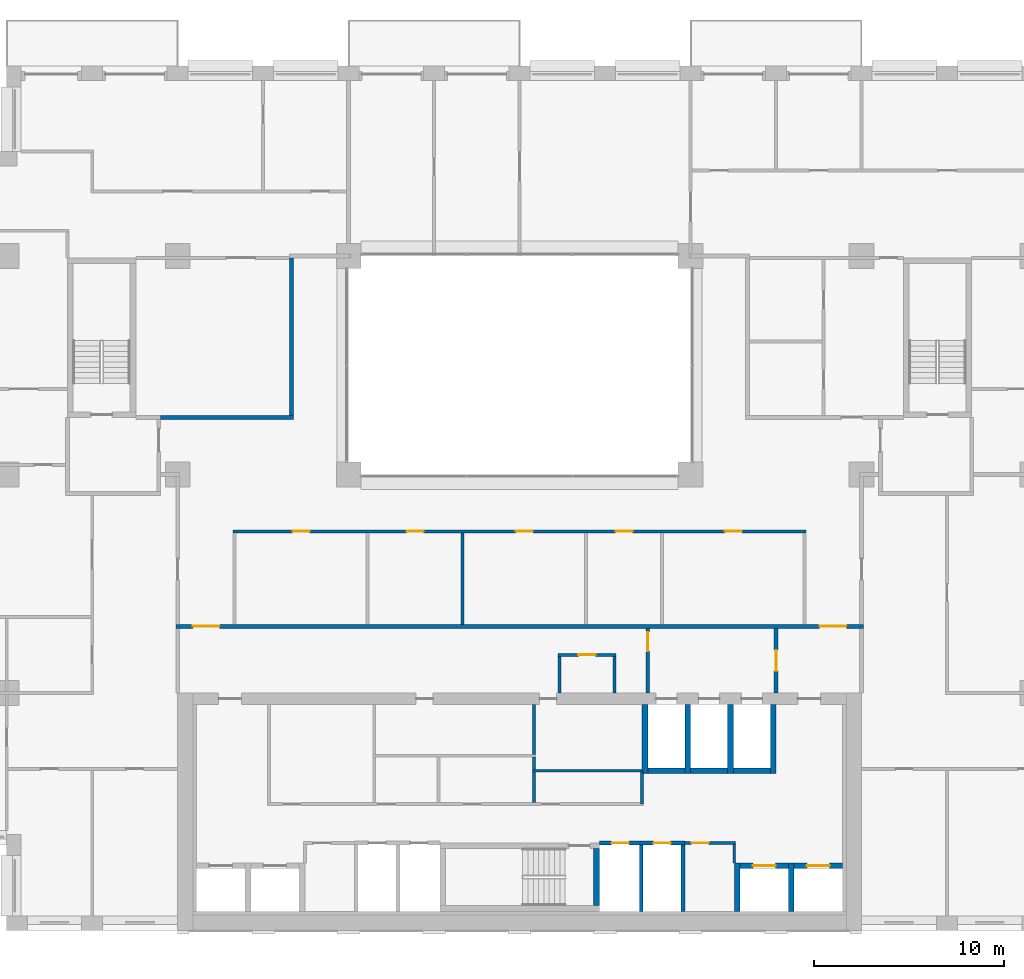
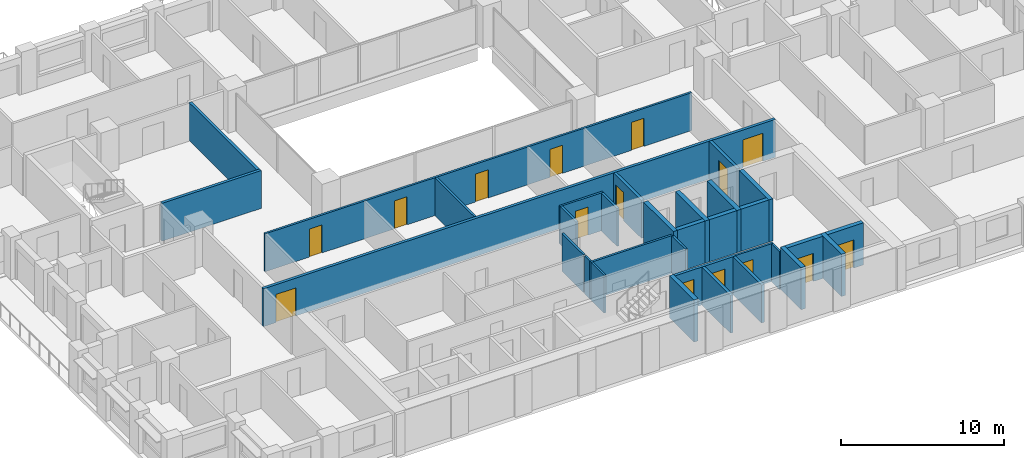
# One storey, part 10 of 16: 32 walls, 15 doors, 15 openings.
"""IFC4 building model written with IfcOpenShell, lengths in metres."""

from ifc_helpers import new_model, si_unit, direction, frame, frame_2d, origin, place, context, subcontext, project, spatial, rectangle, extrude, material, layer, layer_set, type_object, element, fill, save


model = new_model("IFC4")

# Units and contexts
model_context = context("Model", 3, precision=1e-05, world=origin(), true_north=direction((0.0, 1.0)))
body_context = subcontext(model_context, "Body", "Model", "MODEL_VIEW")
ifc_project = project(units=[si_unit("LENGTHUNIT", "METRE"), si_unit("AREAUNIT", "SQUARE_METRE"), si_unit("VOLUMEUNIT", "CUBIC_METRE"), si_unit("PLANEANGLEUNIT", "RADIAN"), si_unit("MASSUNIT", "GRAM", prefix="KILO")], contexts=[model_context])

# Site, building, storey
site_placement = place(None, origin())
site = spatial("IfcSite", under=ifc_project, at=site_placement, CompositionType="ELEMENT")
building_placement = place(site_placement, origin())
building = spatial("IfcBuilding", under=site, at=building_placement, Name="Brigalow Station Residences", CompositionType="ELEMENT")
storey_placement = place(building_placement, frame((0.0, 0.0, 118.199951171875)))
storey = spatial("IfcBuildingStorey", under=building, at=storey_placement, Name="L34", CompositionType="ELEMENT", Elevation=118.199951171875)

# Walls
ifc_material_1 = material(Name="Concrete C65", Category="concrete")
ifc_layer_1 = layer(ifc_material_1, 0.300048828125)
ifc_layer_set_1 = layer_set([ifc_layer_1], Name="CORE SHEAR WALL 300 C65")
wall_type_1 = type_object("IfcWallType", Name="CORE SHEAR WALL 300 C65", PredefinedType="SHEAR", material=ifc_layer_set_1)
wall_1_placement = place(storey_placement, frame((42.75, 8.39990234375, 0.0), z_axis=(0.0, 0.0, 1.0), x_axis=(1.0, 0.0, 0.0)))
element("IfcWall", 1, at=wall_1_placement, inside=storey, type_object=wall_type_1, Name="CORE WALL SH-FF1-S L34", PredefinedType="SHEAR", context=body_context, shape_type="SweptSolid", body=[
    extrude(rectangle(XDim=1.949951171875, YDim=0.300048828125, at=frame_2d((0.97509765625, 0.0))), origin(), (0.0, 0.0, 1.0), 3.150146484375),
])
wall_2_placement = place(storey_placement, frame((42.60009765625, 8.25, 0.0), z_axis=(0.0, 0.0, 1.0), x_axis=(0.0, 1.0, 0.0)))
element("IfcWall", 2, at=wall_2_placement, inside=storey, type_object=wall_type_1, Name="CORE WALL SH-FF1-W L34", PredefinedType="SHEAR", context=body_context, shape_type="SweptSolid", body=[
    extrude(rectangle(XDim=3.64990234375, YDim=0.300048828125, at=frame_2d((1.824951171875, 0.0))), origin(), (0.0, 0.0, 1.0), 3.150146484375),
])
wall_3_placement = place(storey_placement, frame((45.0, 8.39990234375, 0.0), z_axis=(0.0, 0.0, 1.0), x_axis=(1.0, 0.0, 0.0)))
element("IfcWall", 3, at=wall_3_placement, inside=storey, type_object=wall_type_1, Name="CORE WALL SH-FF2-S L34", PredefinedType="SHEAR", context=body_context, shape_type="SweptSolid", body=[
    extrude(rectangle(XDim=1.949951171875, YDim=0.300048828125, at=frame_2d((0.97509765625, 0.0))), origin(), (0.0, 0.0, 1.0), 3.150146484375),
])
wall_4_placement = place(storey_placement, frame((44.85009765625, 8.25, 0.0), z_axis=(0.0, 0.0, 1.0), x_axis=(0.0, 1.0, 0.0)))
element("IfcWall", 4, at=wall_4_placement, inside=storey, type_object=wall_type_1, Name="CORE WALL SH-FF2-W L34", PredefinedType="SHEAR", context=body_context, shape_type="SweptSolid", body=[
    extrude(rectangle(XDim=3.64990234375, YDim=0.300048828125, at=frame_2d((1.824951171875, 0.0))), origin(), (0.0, 0.0, 1.0), 3.150146484375),
])
wall_5_placement = place(storey_placement, frame((47.25, 8.39990234375, 0.0), z_axis=(0.0, 0.0, 1.0), x_axis=(1.0, 0.0, 0.0)))
element("IfcWall", 5, at=wall_5_placement, inside=storey, type_object=wall_type_1, Name="CORE WALL SH-SL1-S L34", PredefinedType="SHEAR", context=body_context, shape_type="SweptSolid", body=[
    extrude(rectangle(XDim=1.949951171875, YDim=0.300048828125, at=frame_2d((0.97509765625, 0.0))), origin(), (0.0, 0.0, 1.0), 3.150146484375),
])
for number, where, z_axis, x_axis, name in (
    (6, (47.10009765625, 8.25, 0.0), (0.0, 0.0, 1.0), (0.0, 1.0, 0.0), "CORE WALL SH-SL1-W L34"),
    (7, (49.35009765625, 8.25, 0.0), (0.0, 0.0, 1.0), (0.0, 1.0, 0.0), "CORE WALL SH-SL1-E L34"),
):
    element("IfcWall", number, at=place(storey_placement, frame(where, z_axis=z_axis, x_axis=x_axis)), inside=storey, type_object=wall_type_1, Name=name, PredefinedType="SHEAR", context=body_context, shape_type="SweptSolid", body=[
        extrude(rectangle(XDim=3.64990234375, YDim=0.300048828125, at=frame_2d((1.824951171875, 0.0))), origin(), (0.0, 0.0, 1.0), 3.150146484375),
    ])

# Wall, opening, door
wall_6_placement = place(storey_placement, frame((47.60009765625, 3.39990234375, 0.0), z_axis=(0.0, 0.0, 1.0), x_axis=(1.0, 0.0, 0.0)))
wall_6 = element("IfcWall", 8, at=wall_6_placement, inside=storey, type_object=wall_type_1, Name="CORE WALL SH-C3-N L34", PredefinedType="SHEAR", context=body_context, shape_type="SweptSolid", body=[
    extrude(rectangle(XDim=2.5498046875, YDim=0.300048828125, at=frame_2d((1.27490234375, 0.0))), origin(), (0.0, 0.0, 1.0), 3.150146484375),
])
opening_1_placement = place(wall_6_placement, frame((0.675048828125, 0.0, 0.0)))
opening_1 = element("IfcOpeningElement", 9, at=opening_1_placement, cuts=wall_6, Name="Opening LD-LB3", PredefinedType="OPENING", context=body_context, shape_type="SweptSolid", body=[
    extrude(rectangle(XDim=1.199951171875, YDim=2.10009765625, at=frame_2d((0.60009765625, 1.050048828125))), frame((0.0, 0.16015625, 0.0), z_axis=(0.0, -1.0, 0.0), x_axis=(1.0, 0.0, 0.0)), (0.0, 0.0, 1.0), 0.320068359375),
])
ifc_material_2 = material(Name="Stainless steel sliding door leaves", Category="steel")
door_type_1 = type_object("IfcDoorType", Name="LIFT LANDING DOOR 1200 x 2100", OperationType="DOUBLE_DOOR_SLIDING", PredefinedType="DOOR", material=ifc_material_2)
door_1_placement = place(opening_1_placement, origin())
door_1 = element("IfcDoor", 10, at=door_1_placement, inside=storey, type_object=door_type_1, Name="LANDING DOOR LB3", OperationType="DOUBLE_DOOR_SLIDING", OverallHeight=2.10009765625, OverallWidth=1.199951171875, PredefinedType="DOOR", context=body_context, shape_type="SweptSolid", body=[
    extrude(rectangle(XDim=1.199951171875, YDim=2.10009765625, at=frame_2d((0.60009765625, 1.050048828125))), frame((0.0, 0.02490234375, 0.0), z_axis=(0.0, -1.0, 0.0), x_axis=(1.0, 0.0, 0.0)), (0.0, 0.0, 1.0), 0.050048828125),
])
fill(opening_1, door_1)

# Wall
wall_7_placement = place(storey_placement, frame((47.449951171875, 1.0, 0.0), z_axis=(0.0, 0.0, 1.0), x_axis=(0.0, 1.0, 0.0)))
element("IfcWall", 11, at=wall_7_placement, inside=storey, type_object=wall_type_1, Name="CORE WALL SH-C3-W L34", PredefinedType="SHEAR", context=body_context, shape_type="SweptSolid", body=[
    extrude(rectangle(XDim=2.550048828125, YDim=0.300048828125, at=frame_2d((1.27490234375, 0.0))), origin(), (0.0, 0.0, 1.0), 3.150146484375),
])

# Wall, opening, door
wall_8_placement = place(storey_placement, frame((50.449951171875, 3.39990234375, 0.0), z_axis=(0.0, 0.0, 1.0), x_axis=(1.0, 0.0, 0.0)))
wall_8 = element("IfcWall", 12, at=wall_8_placement, inside=storey, type_object=wall_type_1, Name="CORE WALL SH-C4-N L34", PredefinedType="SHEAR", context=body_context, shape_type="SweptSolid", body=[
    extrude(rectangle(XDim=2.550048828125, YDim=0.300048828125, at=frame_2d((1.27490234375, 0.0))), origin(), (0.0, 0.0, 1.0), 3.150146484375),
])
opening_2_placement = place(wall_8_placement, frame((0.675048828125, 0.0, 0.0)))
opening_2 = element("IfcOpeningElement", 13, at=opening_2_placement, cuts=wall_8, Name="Opening LD-LB4", PredefinedType="OPENING", context=body_context, shape_type="SweptSolid", body=[
    extrude(rectangle(XDim=1.199951171875, YDim=2.10009765625, at=frame_2d((0.60009765625, 1.050048828125))), frame((0.0, 0.16015625, 0.0), z_axis=(0.0, -1.0, 0.0), x_axis=(1.0, 0.0, 0.0)), (0.0, 0.0, 1.0), 0.320068359375),
])
door_2_placement = place(opening_2_placement, origin())
door_2 = element("IfcDoor", 14, at=door_2_placement, inside=storey, type_object=door_type_1, Name="LANDING DOOR LB4", OperationType="DOUBLE_DOOR_SLIDING", OverallHeight=2.10009765625, OverallWidth=1.199951171875, PredefinedType="DOOR", context=body_context, shape_type="SweptSolid", body=[
    extrude(rectangle(XDim=1.199951171875, YDim=2.10009765625, at=frame_2d((0.60009765625, 1.050048828125))), frame((0.0, 0.02490234375, 0.0), z_axis=(0.0, -1.0, 0.0), x_axis=(1.0, 0.0, 0.0)), (0.0, 0.0, 1.0), 0.050048828125),
])
fill(opening_2, door_2)

# Walls
wall_9_placement = place(storey_placement, frame((50.300048828125, 1.0, 0.0), z_axis=(0.0, 0.0, 1.0), x_axis=(0.0, 1.0, 0.0)))
element("IfcWall", 15, at=wall_9_placement, inside=storey, type_object=wall_type_1, Name="CORE WALL SH-C4-W L34", PredefinedType="SHEAR", context=body_context, shape_type="SweptSolid", body=[
    extrude(rectangle(XDim=2.550048828125, YDim=0.300048828125, at=frame_2d((1.27490234375, 0.0))), origin(), (0.0, 0.0, 1.0), 3.150146484375),
])
wall_10_placement = place(storey_placement, frame((40.050048828125, 1.300048828125, 0.0), z_axis=(0.0, 0.0, 1.0), x_axis=(0.0, 1.0, 0.0)))
element("IfcWall", 16, at=wall_10_placement, inside=storey, type_object=wall_type_1, Name="CORE WALL ST-S2-E L34", PredefinedType="SHEAR", context=body_context, shape_type="SweptSolid", body=[
    extrude(rectangle(XDim=3.0, YDim=0.300048828125, at=frame_2d((1.5, 0.0))), origin(), (0.0, 0.0, 1.0), 3.150146484375),
])

# Wall, openings, doors
ifc_material_3 = material(Name="Concrete blockwork", Category="masonry")
ifc_layer_2 = layer(ifc_material_3, 0.199951171875)
ifc_layer_set_2 = layer_set([ifc_layer_2], Name="FIRE RATED CORE PARTITION 200")
wall_type_2 = type_object("IfcWallType", Name="FIRE RATED CORE PARTITION 200", PredefinedType="PARTITIONING", material=ifc_layer_set_2)
wall_11_placement = place(storey_placement, frame((40.199951171875, 4.60009765625, 0.0), z_axis=(0.0, 0.0, 1.0), x_axis=(1.0, 0.0, 0.0)))
wall_11 = element("IfcWall", 17, at=wall_11_placement, inside=storey, type_object=wall_type_2, Name="PW-5018", PredefinedType="PARTITIONING", context=body_context, shape_type="SweptSolid", body=[
    extrude(rectangle(XDim=4.5, YDim=0.199951171875, at=frame_2d((2.25, 0.0))), origin(), (0.0, 0.0, 1.0), 2.830078125),
])
opening_3_placement = place(wall_11_placement, frame((0.64990234375, 0.0, 0.0)))
opening_3 = element("IfcOpeningElement", 18, at=opening_3_placement, cuts=wall_11, Name="Opening D-5009", PredefinedType="OPENING", context=body_context, shape_type="SweptSolid", body=[
    extrude(rectangle(XDim=0.89990234375, YDim=2.10009765625, at=frame_2d((0.449951171875, 1.050048828125))), frame((0.0, 0.10986328125, 0.0), z_axis=(0.0, -1.0, 0.0), x_axis=(1.0, 0.0, 0.0)), (0.0, 0.0, 1.0), 0.219970703125),
])
opening_4_placement = place(wall_11_placement, frame((2.85009765625, 0.0, 0.0)))
opening_4 = element("IfcOpeningElement", 19, at=opening_4_placement, cuts=wall_11, Name="Opening D-5010", PredefinedType="OPENING", context=body_context, shape_type="SweptSolid", body=[
    extrude(rectangle(XDim=0.89990234375, YDim=2.10009765625, at=frame_2d((0.449951171875, 1.050048828125))), frame((0.0, 0.10986328125, 0.0), z_axis=(0.0, -1.0, 0.0), x_axis=(1.0, 0.0, 0.0)), (0.0, 0.0, 1.0), 0.219970703125),
])
ifc_material_4 = material(Name="Steel fire door leaf in steel frame", Category="steel")
door_type_2 = type_object("IfcDoorType", Name="RISER ACCESS DOOR 900 x 2100 FD120", OperationType="SINGLE_SWING_LEFT", PredefinedType="DOOR", material=ifc_material_4)
door_3_placement = place(opening_3_placement, frame((0.89990234375, 0.0, 0.0), z_axis=(0.0, 0.0, 1.0), x_axis=(-1.0, 0.0, 0.0)))
door_3 = element("IfcDoor", 20, at=door_3_placement, inside=storey, type_object=door_type_2, Name="D-5009", OperationType="SINGLE_SWING_LEFT", OverallHeight=2.10009765625, OverallWidth=0.89990234375, PredefinedType="DOOR", context=body_context, shape_type="SweptSolid", body=[
    extrude(rectangle(XDim=0.89990234375, YDim=2.10009765625, at=frame_2d((0.449951171875, 1.050048828125))), frame((0.0, 0.02490234375, 0.0), z_axis=(0.0, -1.0, 0.0), x_axis=(1.0, 0.0, 0.0)), (0.0, 0.0, 1.0), 0.050048828125),
])
fill(opening_3, door_3)
door_4_placement = place(opening_4_placement, frame((0.89990234375, 0.0, 0.0), z_axis=(0.0, 0.0, 1.0), x_axis=(-1.0, 0.0, 0.0)))
door_4 = element("IfcDoor", 21, at=door_4_placement, inside=storey, type_object=door_type_2, Name="D-5010", OperationType="SINGLE_SWING_LEFT", OverallHeight=2.10009765625, OverallWidth=0.89990234375, PredefinedType="DOOR", context=body_context, shape_type="SweptSolid", body=[
    extrude(rectangle(XDim=0.89990234375, YDim=2.10009765625, at=frame_2d((0.449951171875, 1.050048828125))), frame((0.0, 0.02490234375, 0.0), z_axis=(0.0, -1.0, 0.0), x_axis=(1.0, 0.0, 0.0)), (0.0, 0.0, 1.0), 0.050048828125),
])
fill(opening_4, door_4)

# Walls
for number, where, z_axis, x_axis, name in (
    (22, (42.39990234375, 1.0, 0.0), (0.0, 0.0, 1.0), (0.0, 1.0, 0.0), "PW-5007"),
    (23, (44.60009765625, 1.0, 0.0), (0.0, 0.0, 1.0), (0.0, 1.0, 0.0), "PW-5008"),
):
    element("IfcWall", number, at=place(storey_placement, frame(where, z_axis=z_axis, x_axis=x_axis)), inside=storey, type_object=wall_type_2, Name=name, PredefinedType="PARTITIONING", context=body_context, shape_type="SweptSolid", body=[
        extrude(rectangle(XDim=3.5, YDim=0.199951171875, at=frame_2d((1.75, 0.0))), origin(), (0.0, 0.0, 1.0), 2.830078125),
    ])

# Wall, opening, door
wall_12_placement = place(storey_placement, frame((42.75, 12.5, 0.0), z_axis=(0.0, 0.0, 1.0), x_axis=(0.0, 1.0, 0.0)))
wall_12 = element("IfcWall", 24, at=wall_12_placement, inside=storey, type_object=wall_type_2, Name="PW-5014", PredefinedType="PARTITIONING", context=body_context, shape_type="SweptSolid", body=[
    extrude(rectangle(XDim=3.39990234375, YDim=0.199951171875, at=frame_2d((1.699951171875, 0.0))), origin(), (0.0, 0.0, 1.0), 2.830078125),
])
opening_5_placement = place(wall_12_placement, frame((2.199951171875, 0.0, 0.0)))
opening_5 = element("IfcOpeningElement", 25, at=opening_5_placement, cuts=wall_12, Name="Opening D-5013", PredefinedType="OPENING", context=body_context, shape_type="SweptSolid", body=[
    extrude(rectangle(XDim=1.0, YDim=2.10009765625, at=frame_2d((0.5, 1.050048828125))), frame((0.0, 0.10986328125, 0.0), z_axis=(0.0, -1.0, 0.0), x_axis=(1.0, 0.0, 0.0)), (0.0, 0.0, 1.0), 0.219970703125),
])
ifc_material_5 = material(Name="Steel fire door leaf in steel frame", Category="steel")
door_type_3 = type_object("IfcDoorType", Name="LOBBY DOOR 1000 x 2100 FD60S", OperationType="SINGLE_SWING_LEFT", PredefinedType="DOOR", material=ifc_material_5)
door_5_placement = place(opening_5_placement, origin())
door_5 = element("IfcDoor", 26, at=door_5_placement, inside=storey, type_object=door_type_3, Name="D-5013", OperationType="SINGLE_SWING_RIGHT", OverallHeight=2.10009765625, OverallWidth=1.0, PredefinedType="DOOR", context=body_context, shape_type="SweptSolid", body=[
    extrude(rectangle(XDim=1.0, YDim=2.10009765625, at=frame_2d((0.5, 1.050048828125))), frame((0.0, 0.02490234375, 0.0), z_axis=(0.0, -1.0, 0.0), x_axis=(1.0, 0.0, 0.0)), (0.0, 0.0, 1.0), 0.050048828125),
])
fill(opening_5, door_5)

wall_13_placement = place(storey_placement, frame((49.5, 12.5, 0.0), z_axis=(0.0, 0.0, 1.0), x_axis=(0.0, 1.0, 0.0)))
wall_13 = element("IfcWall", 27, at=wall_13_placement, inside=storey, type_object=wall_type_2, Name="PW-5015", PredefinedType="PARTITIONING", context=body_context, shape_type="SweptSolid", body=[
    extrude(rectangle(XDim=3.39990234375, YDim=0.199951171875, at=frame_2d((1.699951171875, 0.0))), origin(), (0.0, 0.0, 1.0), 2.830078125),
])
opening_6_placement = place(wall_13_placement, frame((1.14990234375, 0.0, 0.0)))
opening_6 = element("IfcOpeningElement", 28, at=opening_6_placement, cuts=wall_13, Name="Opening D-5014", PredefinedType="OPENING", context=body_context, shape_type="SweptSolid", body=[
    extrude(rectangle(XDim=1.10009765625, YDim=2.10009765625, at=frame_2d((0.550048828125, 1.050048828125))), frame((0.0, 0.10986328125, 0.0), z_axis=(0.0, -1.0, 0.0), x_axis=(1.0, 0.0, 0.0)), (0.0, 0.0, 1.0), 0.219970703125),
])
ifc_material_6 = material(Name="Steel fire door leaf in steel frame", Category="steel")
door_type_4 = type_object("IfcDoorType", Name="LOBBY DOOR 1100 x 2100 FD60S", OperationType="SINGLE_SWING_LEFT", PredefinedType="DOOR", material=ifc_material_6)
door_6_placement = place(opening_6_placement, origin())
door_6 = element("IfcDoor", 29, at=door_6_placement, inside=storey, type_object=door_type_4, Name="D-5014", OperationType="SINGLE_SWING_LEFT", OverallHeight=2.10009765625, OverallWidth=1.10009765625, PredefinedType="DOOR", context=body_context, shape_type="SweptSolid", body=[
    extrude(rectangle(XDim=1.10009765625, YDim=2.10009765625, at=frame_2d((0.550048828125, 1.050048828125))), frame((0.0, 0.02490234375, 0.0), z_axis=(0.0, -1.0, 0.0), x_axis=(1.0, 0.0, 0.0)), (0.0, 0.0, 1.0), 0.050048828125),
])
fill(opening_6, door_6)

# Wall, openings, doors
ifc_material_7 = material(Name="Plasterboard on steel stud partition", Category="steel")
ifc_layer_3 = layer(ifc_material_7, 0.14990234375)
ifc_layer_set_3 = layer_set([ifc_layer_3], Name="FLAT PARTITION 150")
wall_type_3 = type_object("IfcWallType", Name="FLAT PARTITION 150", PredefinedType="PARTITIONING", material=ifc_layer_set_3)
wall_14_placement = place(storey_placement, frame((20.925048828125, 21.0, 0.0), z_axis=(0.0, 0.0, 1.0), x_axis=(1.0, 0.0, 0.0)))
wall_14 = element("IfcWall", 30, at=wall_14_placement, inside=storey, type_object=wall_type_3, Name="PW-2E01", PredefinedType="PARTITIONING", context=body_context, shape_type="SweptSolid", body=[
    extrude(rectangle(XDim=30.14990234375, YDim=0.14990234375, at=frame_2d((15.074951171875, 0.0))), origin(), (0.0, 0.0, 1.0), 2.830078125),
])
opening_7_placement = place(wall_14_placement, frame((3.125, 0.0, 0.0)))
opening_7 = element("IfcOpeningElement", 31, at=opening_7_placement, cuts=wall_14, Name="Opening D-2E45", PredefinedType="OPENING", context=body_context, shape_type="SweptSolid", body=[
    extrude(rectangle(XDim=0.89990234375, YDim=2.10009765625, at=frame_2d((0.449951171875, 1.050048828125))), frame((0.0, 0.0849609375, 0.0), z_axis=(0.0, -1.0, 0.0), x_axis=(1.0, 0.0, 0.0)), (0.0, 0.0, 1.0), 0.169921875),
])
opening_8_placement = place(wall_14_placement, frame((9.125, 0.0, 0.0)))
opening_8 = element("IfcOpeningElement", 32, at=opening_8_placement, cuts=wall_14, Name="Opening D-2E46", PredefinedType="OPENING", context=body_context, shape_type="SweptSolid", body=[
    extrude(rectangle(XDim=0.89990234375, YDim=2.10009765625, at=frame_2d((0.449951171875, 1.050048828125))), frame((0.0, 0.0849609375, 0.0), z_axis=(0.0, -1.0, 0.0), x_axis=(1.0, 0.0, 0.0)), (0.0, 0.0, 1.0), 0.169921875),
])
opening_9_placement = place(wall_14_placement, frame((14.875, 0.0, 0.0)))
opening_9 = element("IfcOpeningElement", 33, at=opening_9_placement, cuts=wall_14, Name="Opening D-2E47", PredefinedType="OPENING", context=body_context, shape_type="SweptSolid", body=[
    extrude(rectangle(XDim=0.89990234375, YDim=2.10009765625, at=frame_2d((0.449951171875, 1.050048828125))), frame((0.0, 0.0849609375, 0.0), z_axis=(0.0, -1.0, 0.0), x_axis=(1.0, 0.0, 0.0)), (0.0, 0.0, 1.0), 0.169921875),
])
opening_10_placement = place(wall_14_placement, frame((20.125, 0.0, 0.0)))
opening_10 = element("IfcOpeningElement", 34, at=opening_10_placement, cuts=wall_14, Name="Opening D-2E48", PredefinedType="OPENING", context=body_context, shape_type="SweptSolid", body=[
    extrude(rectangle(XDim=0.89990234375, YDim=2.10009765625, at=frame_2d((0.449951171875, 1.050048828125))), frame((0.0, 0.0849609375, 0.0), z_axis=(0.0, -1.0, 0.0), x_axis=(1.0, 0.0, 0.0)), (0.0, 0.0, 1.0), 0.169921875),
])
opening_11_placement = place(wall_14_placement, frame((25.875, 0.0, 0.0)))
opening_11 = element("IfcOpeningElement", 35, at=opening_11_placement, cuts=wall_14, Name="Opening D-2E49", PredefinedType="OPENING", context=body_context, shape_type="SweptSolid", body=[
    extrude(rectangle(XDim=0.89990234375, YDim=2.10009765625, at=frame_2d((0.449951171875, 1.050048828125))), frame((0.0, 0.0849609375, 0.0), z_axis=(0.0, -1.0, 0.0), x_axis=(1.0, 0.0, 0.0)), (0.0, 0.0, 1.0), 0.169921875),
])
ifc_material_8 = material(Name="Solid-core timber door leaf", Category="wood")
door_type_5 = type_object("IfcDoorType", Name="INTERNAL DOOR 900 x 2100", OperationType="SINGLE_SWING_LEFT", PredefinedType="DOOR", material=ifc_material_8)
door_7_placement = place(opening_7_placement, frame((0.89990234375, 0.0, 0.0), z_axis=(0.0, 0.0, 1.0), x_axis=(-1.0, 0.0, 0.0)))
door_7 = element("IfcDoor", 36, at=door_7_placement, inside=storey, type_object=door_type_5, Name="D-2E45", OperationType="SINGLE_SWING_RIGHT", OverallHeight=2.10009765625, OverallWidth=0.89990234375, PredefinedType="DOOR", context=body_context, shape_type="SweptSolid", body=[
    extrude(rectangle(XDim=0.89990234375, YDim=2.10009765625, at=frame_2d((0.449951171875, 1.050048828125))), frame((0.0, 0.02490234375, 0.0), z_axis=(0.0, -1.0, 0.0), x_axis=(1.0, 0.0, 0.0)), (0.0, 0.0, 1.0), 0.050048828125),
])
fill(opening_7, door_7)
door_8_placement = place(opening_8_placement, frame((0.89990234375, 0.0, 0.0), z_axis=(0.0, 0.0, 1.0), x_axis=(-1.0, 0.0, 0.0)))
door_8 = element("IfcDoor", 37, at=door_8_placement, inside=storey, type_object=door_type_5, Name="D-2E46", OperationType="SINGLE_SWING_RIGHT", OverallHeight=2.10009765625, OverallWidth=0.89990234375, PredefinedType="DOOR", context=body_context, shape_type="SweptSolid", body=[
    extrude(rectangle(XDim=0.89990234375, YDim=2.10009765625, at=frame_2d((0.449951171875, 1.050048828125))), frame((0.0, 0.02490234375, 0.0), z_axis=(0.0, -1.0, 0.0), x_axis=(1.0, 0.0, 0.0)), (0.0, 0.0, 1.0), 0.050048828125),
])
fill(opening_8, door_8)
door_9_placement = place(opening_9_placement, frame((0.89990234375, 0.0, 0.0), z_axis=(0.0, 0.0, 1.0), x_axis=(-1.0, 0.0, 0.0)))
door_9 = element("IfcDoor", 38, at=door_9_placement, inside=storey, type_object=door_type_5, Name="D-2E47", OperationType="SINGLE_SWING_RIGHT", OverallHeight=2.10009765625, OverallWidth=0.89990234375, PredefinedType="DOOR", context=body_context, shape_type="SweptSolid", body=[
    extrude(rectangle(XDim=0.89990234375, YDim=2.10009765625, at=frame_2d((0.449951171875, 1.050048828125))), frame((0.0, 0.02490234375, 0.0), z_axis=(0.0, -1.0, 0.0), x_axis=(1.0, 0.0, 0.0)), (0.0, 0.0, 1.0), 0.050048828125),
])
fill(opening_9, door_9)
door_10_placement = place(opening_10_placement, frame((0.89990234375, 0.0, 0.0), z_axis=(0.0, 0.0, 1.0), x_axis=(-1.0, 0.0, 0.0)))
door_10 = element("IfcDoor", 39, at=door_10_placement, inside=storey, type_object=door_type_5, Name="D-2E48", OperationType="SINGLE_SWING_LEFT", OverallHeight=2.10009765625, OverallWidth=0.89990234375, PredefinedType="DOOR", context=body_context, shape_type="SweptSolid", body=[
    extrude(rectangle(XDim=0.89990234375, YDim=2.10009765625, at=frame_2d((0.449951171875, 1.050048828125))), frame((0.0, 0.02490234375, 0.0), z_axis=(0.0, -1.0, 0.0), x_axis=(1.0, 0.0, 0.0)), (0.0, 0.0, 1.0), 0.050048828125),
])
fill(opening_10, door_10)
door_11_placement = place(opening_11_placement, frame((0.89990234375, 0.0, 0.0), z_axis=(0.0, 0.0, 1.0), x_axis=(-1.0, 0.0, 0.0)))
door_11 = element("IfcDoor", 40, at=door_11_placement, inside=storey, type_object=door_type_5, Name="D-2E49", OperationType="SINGLE_SWING_LEFT", OverallHeight=2.10009765625, OverallWidth=0.89990234375, PredefinedType="DOOR", context=body_context, shape_type="SweptSolid", body=[
    extrude(rectangle(XDim=0.89990234375, YDim=2.10009765625, at=frame_2d((0.449951171875, 1.050048828125))), frame((0.0, 0.02490234375, 0.0), z_axis=(0.0, -1.0, 0.0), x_axis=(1.0, 0.0, 0.0)), (0.0, 0.0, 1.0), 0.050048828125),
])
fill(opening_11, door_11)

# Walls
wall_15_placement = place(storey_placement, frame((33.0, 16.10009765625, 0.0), z_axis=(0.0, 0.0, 1.0), x_axis=(0.0, 1.0, 0.0)))
element("IfcWall", 41, at=wall_15_placement, inside=storey, type_object=wall_type_3, Name="PW-2E67", PredefinedType="PARTITIONING", context=body_context, shape_type="SweptSolid", body=[
    extrude(rectangle(XDim=4.824951171875, YDim=0.14990234375, at=frame_2d((2.41259765625, 0.0))), origin(), (0.0, 0.0, 1.0), 2.830078125),
])
ifc_material_9 = material(Name="Plasterboard on steel stud partition", Category="steel")
ifc_layer_4 = layer(ifc_material_9, 0.199951171875)
ifc_layer_set_4 = layer_set([ifc_layer_4], Name="PARTY AND CORRIDOR WALL 200")
wall_type_4 = type_object("IfcWallType", Name="PARTY AND CORRIDOR WALL 200", PredefinedType="PARTITIONING", material=ifc_layer_set_4)
wall_16_placement = place(storey_placement, frame((17.10009765625, 27.0, 0.0), z_axis=(0.0, 0.0, 1.0), x_axis=(1.0, 0.0, 0.0)))
element("IfcWall", 42, at=wall_16_placement, inside=storey, type_object=wall_type_4, Name="PW-2E05", PredefinedType="PARTITIONING", context=body_context, shape_type="SweptSolid", body=[
    extrude(rectangle(XDim=7.0, YDim=0.199951171875, at=frame_2d((3.5, 0.0))), origin(), (0.0, 0.0, 1.0), 2.830078125),
])

# Wall, openings, doors
wall_17_placement = place(storey_placement, frame((17.89990234375, 16.0, 0.0), z_axis=(0.0, 0.0, 1.0), x_axis=(1.0, 0.0, 0.0)))
wall_17 = element("IfcWall", 43, at=wall_17_placement, inside=storey, type_object=wall_type_4, Name="PW-2E34", PredefinedType="PARTITIONING", context=body_context, shape_type="SweptSolid", body=[
    extrude(rectangle(XDim=36.2001953125, YDim=0.199951171875, at=frame_2d((18.10009765625, 0.0))), origin(), (0.0, 0.0, 1.0), 2.830078125),
])
opening_12_placement = place(wall_17_placement, frame((0.89990234375, 0.0, 0.0)))
opening_12 = element("IfcOpeningElement", 44, at=opening_12_placement, cuts=wall_17, Name="Opening D-2E01", PredefinedType="OPENING", context=body_context, shape_type="SweptSolid", body=[
    extrude(rectangle(XDim=1.39990234375, YDim=2.10009765625, at=frame_2d((0.699951171875, 1.050048828125))), frame((0.0, 0.10986328125, 0.0), z_axis=(0.0, -1.0, 0.0), x_axis=(1.0, 0.0, 0.0)), (0.0, 0.0, 1.0), 0.219970703125),
])
opening_13_placement = place(wall_17_placement, frame((33.89990234375, 0.0, 0.0)))
opening_13 = element("IfcOpeningElement", 45, at=opening_13_placement, cuts=wall_17, Name="Opening D-2E02", PredefinedType="OPENING", context=body_context, shape_type="SweptSolid", body=[
    extrude(rectangle(XDim=1.39990234375, YDim=2.10009765625, at=frame_2d((0.699951171875, 1.050048828125))), frame((0.0, 0.10986328125, 0.0), z_axis=(0.0, -1.0, 0.0), x_axis=(1.0, 0.0, 0.0)), (0.0, 0.0, 1.0), 0.219970703125),
])
ifc_material_10 = material(Name="Solid-core timber door leaf", Category="wood")
door_type_6 = type_object("IfcDoorType", Name="CORRIDOR FIRE DOOR 1400 x 2100 FRL -/60/30", OperationType="DOUBLE_DOOR_SINGLE_SWING", PredefinedType="DOOR", material=ifc_material_10)
door_12_placement = place(opening_12_placement, frame((1.39990234375, 0.0, 0.0), z_axis=(0.0, 0.0, 1.0), x_axis=(-1.0, 0.0, 0.0)))
door_12 = element("IfcDoor", 46, at=door_12_placement, inside=storey, type_object=door_type_6, Name="D-2E01", OperationType="DOUBLE_DOOR_SINGLE_SWING", OverallHeight=2.10009765625, OverallWidth=1.39990234375, PredefinedType="DOOR", context=body_context, shape_type="SweptSolid", body=[
    extrude(rectangle(XDim=1.39990234375, YDim=2.10009765625, at=frame_2d((0.699951171875, 1.050048828125))), frame((0.0, 0.02490234375, 0.0), z_axis=(0.0, -1.0, 0.0), x_axis=(1.0, 0.0, 0.0)), (0.0, 0.0, 1.0), 0.050048828125),
])
fill(opening_12, door_12)
door_13_placement = place(opening_13_placement, frame((1.39990234375, 0.0, 0.0), z_axis=(0.0, 0.0, 1.0), x_axis=(-1.0, 0.0, 0.0)))
door_13 = element("IfcDoor", 47, at=door_13_placement, inside=storey, type_object=door_type_6, Name="D-2E02", OperationType="DOUBLE_DOOR_SINGLE_SWING", OverallHeight=2.10009765625, OverallWidth=1.39990234375, PredefinedType="DOOR", context=body_context, shape_type="SweptSolid", body=[
    extrude(rectangle(XDim=1.39990234375, YDim=2.10009765625, at=frame_2d((0.699951171875, 1.050048828125))), frame((0.0, 0.02490234375, 0.0), z_axis=(0.0, -1.0, 0.0), x_axis=(1.0, 0.0, 0.0)), (0.0, 0.0, 1.0), 0.050048828125),
])
fill(opening_13, door_13)

# Wall
wall_18_placement = place(storey_placement, frame((24.0, 27.10009765625, 0.0), z_axis=(0.0, 0.0, 1.0), x_axis=(0.0, 1.0, 0.0)))
element("IfcWall", 48, at=wall_18_placement, inside=storey, type_object=wall_type_4, Name="PW-2E40", PredefinedType="PARTITIONING", context=body_context, shape_type="SweptSolid", body=[
    extrude(rectangle(XDim=8.2998046875, YDim=0.199951171875, at=frame_2d((4.14990234375, 0.0))), origin(), (0.0, 0.0, 1.0), 2.830078125),
])

# Wall, opening, door
ifc_material_11 = material(Name="Plasterboard on steel studs", Category="steel")
ifc_layer_5 = layer(ifc_material_11, 0.14990234375)
ifc_layer_set_5 = layer_set([ifc_layer_5], Name="SERVICE ROOM PARTITION 150")
wall_type_5 = type_object("IfcWallType", Name="SERVICE ROOM PARTITION 150", PredefinedType="PARTITIONING", material=ifc_layer_set_5)
wall_19_placement = place(storey_placement, frame((44.699951171875, 4.60009765625, 0.0), z_axis=(0.0, 0.0, 1.0), x_axis=(1.0, 0.0, 0.0)))
wall_19 = element("IfcWall", 49, at=wall_19_placement, inside=storey, type_object=wall_type_5, Name="PW-5156", PredefinedType="PARTITIONING", context=body_context, shape_type="SweptSolid", body=[
    extrude(rectangle(XDim=2.675048828125, YDim=0.14990234375, at=frame_2d((1.33740234375, 0.0))), origin(), (0.0, 0.0, 1.0), 2.830078125),
])
opening_14_placement = place(wall_19_placement, frame((0.35009765625, 0.0, 0.0)))
opening_14 = element("IfcOpeningElement", 50, at=opening_14_placement, cuts=wall_19, Name="Opening D-5026", PredefinedType="OPENING", context=body_context, shape_type="SweptSolid", body=[
    extrude(rectangle(XDim=0.89990234375, YDim=2.10009765625, at=frame_2d((0.449951171875, 1.050048828125))), frame((0.0, 0.0849609375, 0.0), z_axis=(0.0, -1.0, 0.0), x_axis=(1.0, 0.0, 0.0)), (0.0, 0.0, 1.0), 0.169921875),
])
ifc_material_12 = material(Name="Steel door leaf in steel frame", Category="steel")
door_type_7 = type_object("IfcDoorType", Name="SERVICE ROOM DOOR 900 x 2100 FD60", OperationType="SINGLE_SWING_LEFT", PredefinedType="DOOR", material=ifc_material_12)
door_14_placement = place(opening_14_placement, frame((0.89990234375, 0.0, 0.0), z_axis=(0.0, 0.0, 1.0), x_axis=(-1.0, 0.0, 0.0)))
door_14 = element("IfcDoor", 51, at=door_14_placement, inside=storey, type_object=door_type_7, Name="D-5026", OperationType="SINGLE_SWING_RIGHT", OverallHeight=2.10009765625, OverallWidth=0.89990234375, PredefinedType="DOOR", context=body_context, shape_type="SweptSolid", body=[
    extrude(rectangle(XDim=0.89990234375, YDim=2.10009765625, at=frame_2d((0.449951171875, 1.050048828125))), frame((0.0, 0.02490234375, 0.0), z_axis=(0.0, -1.0, 0.0), x_axis=(1.0, 0.0, 0.0)), (0.0, 0.0, 1.0), 0.050048828125),
])
fill(opening_14, door_14)

# Wall
wall_20_placement = place(storey_placement, frame((36.675048828125, 8.39990234375, 0.0), z_axis=(0.0, 0.0, 1.0), x_axis=(1.0, 0.0, 0.0)))
element("IfcWall", 52, at=wall_20_placement, inside=storey, type_object=wall_type_5, Name="PW-5204", PredefinedType="PARTITIONING", context=body_context, shape_type="SweptSolid", body=[
    extrude(rectangle(XDim=5.77490234375, YDim=0.14990234375, at=frame_2d((2.887451171875, 0.0))), origin(), (0.0, 0.0, 1.0), 2.830078125),
])

# Wall, opening, door
wall_21_placement = place(storey_placement, frame((38.02490234375, 14.5, 0.0), z_axis=(0.0, 0.0, 1.0), x_axis=(1.0, 0.0, 0.0)))
wall_21 = element("IfcWall", 53, at=wall_21_placement, inside=storey, type_object=wall_type_5, Name="PW-5138", PredefinedType="PARTITIONING", context=body_context, shape_type="SweptSolid", body=[
    extrude(rectangle(XDim=3.050048828125, YDim=0.14990234375, at=frame_2d((1.52490234375, 0.0))), origin(), (0.0, 0.0, 1.0), 2.830078125),
])
opening_15_placement = place(wall_21_placement, frame((1.074951171875, 0.0, 0.0)))
opening_15 = element("IfcOpeningElement", 54, at=opening_15_placement, cuts=wall_21, Name="Opening D-5079", PredefinedType="OPENING", context=body_context, shape_type="SweptSolid", body=[
    extrude(rectangle(XDim=0.89990234375, YDim=2.10009765625, at=frame_2d((0.449951171875, 1.050048828125))), frame((0.0, 0.0849609375, 0.0), z_axis=(0.0, -1.0, 0.0), x_axis=(1.0, 0.0, 0.0)), (0.0, 0.0, 1.0), 0.169921875),
])
door_15_placement = place(opening_15_placement, frame((0.89990234375, 0.0, 0.0), z_axis=(0.0, 0.0, 1.0), x_axis=(-1.0, 0.0, 0.0)))
door_15 = element("IfcDoor", 55, at=door_15_placement, inside=storey, type_object=door_type_7, Name="D-5079", OperationType="SINGLE_SWING_RIGHT", OverallHeight=2.10009765625, OverallWidth=0.89990234375, PredefinedType="DOOR", context=body_context, shape_type="SweptSolid", body=[
    extrude(rectangle(XDim=0.89990234375, YDim=2.10009765625, at=frame_2d((0.449951171875, 1.050048828125))), frame((0.0, 0.02490234375, 0.0), z_axis=(0.0, -1.0, 0.0), x_axis=(1.0, 0.0, 0.0)), (0.0, 0.0, 1.0), 0.050048828125),
])
fill(opening_15, door_15)

# Walls
wall_22_placement = place(storey_placement, frame((47.300048828125, 3.550048828125, 0.0), z_axis=(0.0, 0.0, 1.0), x_axis=(0.0, 1.0, 0.0)))
element("IfcWall", 56, at=wall_22_placement, inside=storey, type_object=wall_type_5, Name="PW-5158", PredefinedType="PARTITIONING", context=body_context, shape_type="SweptSolid", body=[
    extrude(rectangle(XDim=0.974853515625, YDim=0.14990234375, at=frame_2d((0.4873046875, 0.0))), origin(), (0.0, 0.0, 1.0), 2.830078125),
])
wall_23_placement = place(storey_placement, frame((42.449951171875, 6.64990234375, 0.0), z_axis=(0.0, 0.0, 1.0), x_axis=(0.0, 1.0, 0.0)))
element("IfcWall", 57, at=wall_23_placement, inside=storey, type_object=wall_type_5, Name="PW-5206", PredefinedType="PARTITIONING", context=body_context, shape_type="SweptSolid", body=[
    extrude(rectangle(XDim=1.675048828125, YDim=0.14990234375, at=frame_2d((0.83740234375, 0.0))), origin(), (0.0, 0.0, 1.0), 2.830078125),
])
wall_24_placement = place(storey_placement, frame((36.75, 6.72509765625, 0.0), z_axis=(0.0, 0.0, 1.0), x_axis=(0.0, 1.0, 0.0)))
element("IfcWall", 58, at=wall_24_placement, inside=storey, type_object=wall_type_5, Name="PW-5210", PredefinedType="PARTITIONING", context=body_context, shape_type="SweptSolid", body=[
    extrude(rectangle(XDim=1.599853515625, YDim=0.14990234375, at=frame_2d((0.7998046875, 0.0))), origin(), (0.0, 0.0, 1.0), 2.830078125),
])
wall_25_placement = place(storey_placement, frame((36.75, 8.47509765625, 0.0), z_axis=(0.0, 0.0, 1.0), x_axis=(0.0, 1.0, 0.0)))
element("IfcWall", 59, at=wall_25_placement, inside=storey, type_object=wall_type_5, Name="PW-5233", PredefinedType="PARTITIONING", context=body_context, shape_type="SweptSolid", body=[
    extrude(rectangle(XDim=0.639892578125, YDim=0.14990234375, at=frame_2d((0.31982421875, 0.0))), origin(), (0.0, 0.0, 1.0), 2.830078125),
])
wall_26_placement = place(storey_placement, frame((36.75, 9.264892578125, 0.0), z_axis=(0.0, 0.0, 1.0), x_axis=(0.0, 1.0, 0.0)))
element("IfcWall", 60, at=wall_26_placement, inside=storey, type_object=wall_type_5, Name="PW-5235", PredefinedType="PARTITIONING", context=body_context, shape_type="SweptSolid", body=[
    extrude(rectangle(XDim=2.635009765625, YDim=0.14990234375, at=frame_2d((1.3173828125, 0.0))), origin(), (0.0, 0.0, 1.0), 2.830078125),
])
for number, where, z_axis, x_axis, name in (
    (61, (38.10009765625, 12.5, 0.0), (0.0, 0.0, 1.0), (0.0, 1.0, 0.0), "PW-5139"),
    (62, (41.0, 12.5, 0.0), (0.0, 0.0, 1.0), (0.0, 1.0, 0.0), "PW-5140"),
):
    element("IfcWall", number, at=place(storey_placement, frame(where, z_axis=z_axis, x_axis=x_axis)), inside=storey, type_object=wall_type_5, Name=name, PredefinedType="PARTITIONING", context=body_context, shape_type="SweptSolid", body=[
        extrude(rectangle(XDim=1.925048828125, YDim=0.14990234375, at=frame_2d((0.96240234375, 0.0))), origin(), (0.0, 0.0, 1.0), 2.830078125),
    ])

save(model, "model.ifc")
